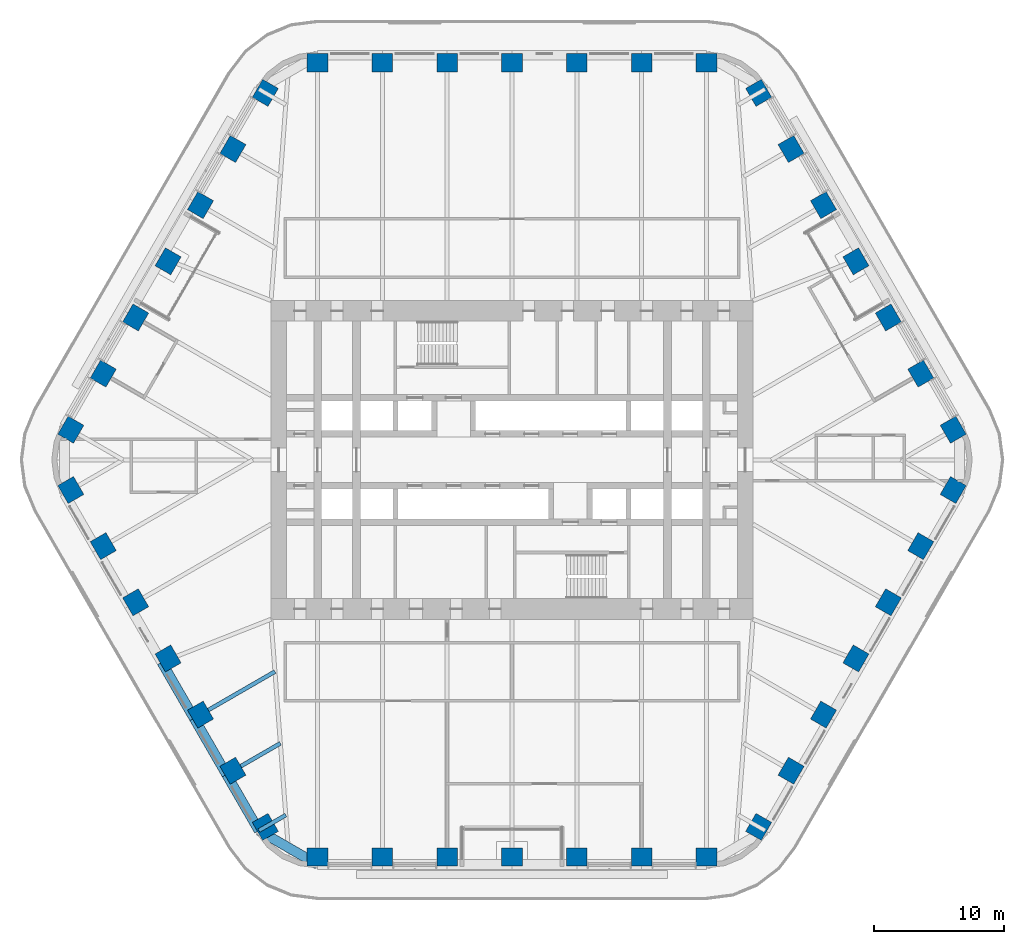
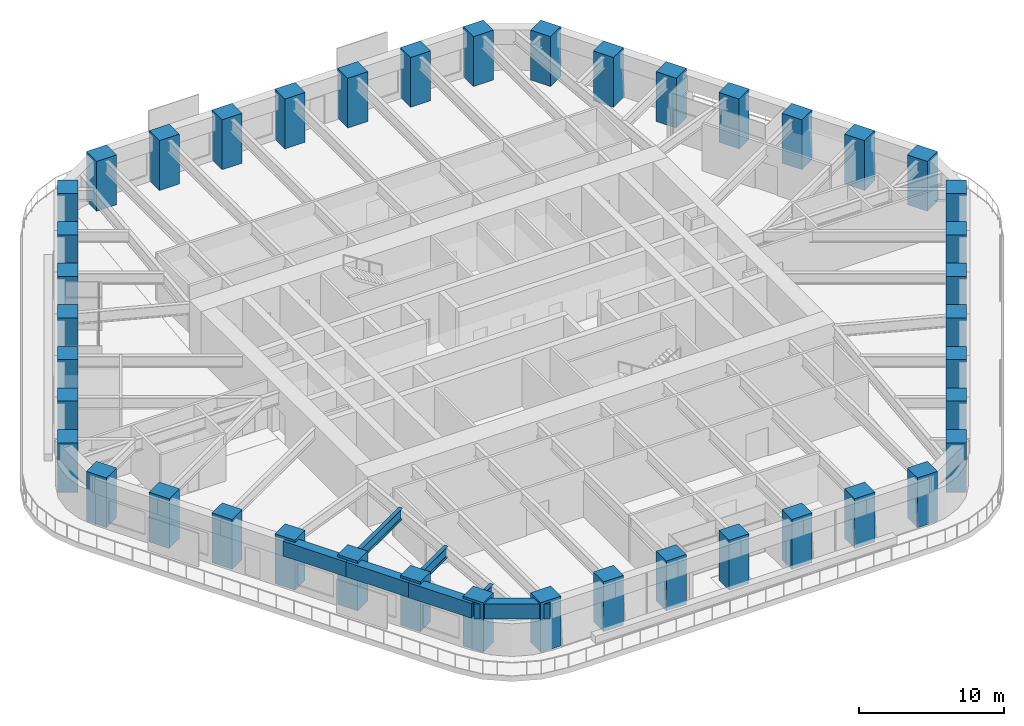
# One storey, part 1 of 24: 42 columns, 7 beams.
"""IFC4 building model written with IfcOpenShell, lengths in metres."""

from ifc_helpers import new_model, si_unit, direction, frame, origin, origin_2d, place, context, subcontext, project, spatial, rectangle, i_section, extrude, material, material_profile, profile_set, type_object, element, save


model = new_model("IFC4")

# Units and contexts
model_context = context("Model", 3, precision=1e-05, world=origin(), true_north=direction((0.0, 1.0)))
body_context = subcontext(model_context, "Body", "Model", "MODEL_VIEW")
ifc_project = project(units=[si_unit("LENGTHUNIT", "METRE"), si_unit("AREAUNIT", "SQUARE_METRE"), si_unit("VOLUMEUNIT", "CUBIC_METRE"), si_unit("PLANEANGLEUNIT", "RADIAN"), si_unit("MASSUNIT", "GRAM", prefix="KILO")], contexts=[model_context])

# Site, building, storey
site_placement = place(None, origin())
site = spatial("IfcSite", under=ifc_project, at=site_placement, CompositionType="ELEMENT")
building_placement = place(site_placement, origin())
building = spatial("IfcBuilding", under=site, at=building_placement, Name="Tarfa Lantern Tower", CompositionType="ELEMENT")
storey_placement = place(building_placement, frame((0.0, 0.0, 178.300048828125)))
storey = spatial("IfcBuildingStorey", under=building, at=storey_placement, Name="L40", CompositionType="ELEMENT", Elevation=178.300048828125)

# Columns
ifc_material_1 = material(Name="Concrete C80/95", Category="concrete")
ifc_material_profile_1 = material_profile(ifc_material_1, rectangle(XDim=1.60009765625, YDim=1.39990234375, at=origin_2d()), Name="RC 1600x1400")
ifc_profile_set_1 = profile_set([ifc_material_profile_1], Name="Concrete C80/95")
column_type = type_object("IfcColumnType", Name="TC7 RC 1600x1400", PredefinedType="COLUMN", material=ifc_profile_set_1)
for number, where, z_axis, x_axis, name in (
    (1, (34.04931640625, 2.324951171875, 0.0), (0.0, 0.0, 1.0), (-0.5, 0.866025403784, 0.0), "Tube column NE0"),
    (2, (31.54736328125, 6.658447265625, 0.0), (0.0, 0.0, 1.0), (-0.5, 0.866025403784, 0.0), "Tube column NE1"),
    (3, (29.04541015625, 10.99169921875, 0.0), (0.0, 0.0, 1.0), (-0.5, 0.866025403784, 0.0), "Tube column NE2"),
    (4, (26.543701171875, 15.324951171875, 0.0), (0.0, 0.0, 1.0), (-0.5, 0.866025403784, 0.0), "Tube column NE3"),
    (5, (24.041748046875, 19.658447265625, 0.0), (0.0, 0.0, 1.0), (-0.5, 0.866025403784, 0.0), "Tube column NE4"),
    (6, (21.5400390625, 23.99169921875, 0.0), (0.0, 0.0, 1.0), (-0.5, 0.866025403784, 0.0), "Tube column NE5"),
    (7, (19.0380859375, 28.324951171875, 0.0), (0.0, 0.0, 1.0), (-0.5, 0.866025403784, 0.0), "Tube column NE6"),
    (8, (15.010986328125, 30.64990234375, 0.0), (0.0, 0.0, 1.0), (-1.0, 0.0, 0.0), "Tube column N0"),
    (9, (10.00732421875, 30.64990234375, 0.0), (0.0, 0.0, 1.0), (-1.0, 0.0, 0.0), "Tube column N1"),
    (10, (5.003662109375, 30.64990234375, 0.0), (0.0, 0.0, 1.0), (-1.0, 0.0, 0.0), "Tube column N2"),
    (11, (0.0, 30.64990234375, 0.0), (0.0, 0.0, 1.0), (-1.0, 0.0, 0.0), "Tube column N3"),
    (12, (-5.003662109375, 30.64990234375, 0.0), (0.0, 0.0, 1.0), (-1.0, 0.0, 0.0), "Tube column N4"),
    (13, (-10.00732421875, 30.64990234375, 0.0), (0.0, 0.0, 1.0), (-1.0, 0.0, 0.0), "Tube column N5"),
    (14, (-15.010986328125, 30.64990234375, 0.0), (0.0, 0.0, 1.0), (-1.0, 0.0, 0.0), "Tube column N6"),
    (15, (-19.0380859375, 28.324951171875, 0.0), (0.0, 0.0, 1.0), (-0.5, -0.866025403784, 0.0), "Tube column NW0"),
    (16, (-21.5400390625, 23.99169921875, 0.0), (0.0, 0.0, 1.0), (-0.5, -0.866025403784, 0.0), "Tube column NW1"),
    (17, (-24.041748046875, 19.658447265625, 0.0), (0.0, 0.0, 1.0), (-0.5, -0.866025403784, 0.0), "Tube column NW2"),
    (18, (-26.543701171875, 15.324951171875, 0.0), (0.0, 0.0, 1.0), (-0.5, -0.866025403784, 0.0), "Tube column NW3"),
    (19, (-29.04541015625, 10.99169921875, 0.0), (0.0, 0.0, 1.0), (-0.5, -0.866025403784, 0.0), "Tube column NW4"),
    (20, (-31.54736328125, 6.658447265625, 0.0), (0.0, 0.0, 1.0), (-0.5, -0.866025403784, 0.0), "Tube column NW5"),
    (21, (-34.04931640625, 2.324951171875, 0.0), (0.0, 0.0, 1.0), (-0.5, -0.866025403784, 0.0), "Tube column NW6"),
    (22, (-34.04931640625, -2.324951171875, 0.0), (0.0, 0.0, 1.0), (0.5, -0.866025403784, 0.0), "Tube column SW0"),
    (23, (-31.54736328125, -6.658447265625, 0.0), (0.0, 0.0, 1.0), (0.5, -0.866025403784, 0.0), "Tube column SW1"),
    (24, (-29.04541015625, -10.99169921875, 0.0), (0.0, 0.0, 1.0), (0.5, -0.866025403784, 0.0), "Tube column SW2"),
    (25, (-26.543701171875, -15.324951171875, 0.0), (0.0, 0.0, 1.0), (0.5, -0.866025403784, 0.0), "Tube column SW3"),
    (26, (-24.041748046875, -19.658447265625, 0.0), (0.0, 0.0, 1.0), (0.5, -0.866025403784, 0.0), "Tube column SW4"),
    (27, (-21.5400390625, -23.99169921875, 0.0), (0.0, 0.0, 1.0), (0.5, -0.866025403784, 0.0), "Tube column SW5"),
    (28, (-19.0380859375, -28.324951171875, 0.0), (0.0, 0.0, 1.0), (0.5, -0.866025403784, 0.0), "Tube column SW6"),
    (29, (-15.010986328125, -30.64990234375, 0.0), (0.0, 0.0, 1.0), (1.0, 0.0, 0.0), "Tube column S0"),
    (30, (-10.00732421875, -30.64990234375, 0.0), (0.0, 0.0, 1.0), (1.0, 0.0, 0.0), "Tube column S1"),
    (31, (-5.003662109375, -30.64990234375, 0.0), (0.0, 0.0, 1.0), (1.0, 0.0, 0.0), "Tube column S2"),
    (32, (0.0, -30.64990234375, 0.0), (0.0, 0.0, 1.0), (1.0, 0.0, 0.0), "Tube column S3"),
    (33, (5.003662109375, -30.64990234375, 0.0), (0.0, 0.0, 1.0), (1.0, 0.0, 0.0), "Tube column S4"),
    (34, (10.00732421875, -30.64990234375, 0.0), (0.0, 0.0, 1.0), (1.0, 0.0, 0.0), "Tube column S5"),
    (35, (15.010986328125, -30.64990234375, 0.0), (0.0, 0.0, 1.0), (1.0, 0.0, 0.0), "Tube column S6"),
    (36, (19.0380859375, -28.324951171875, 0.0), (0.0, 0.0, 1.0), (0.5, 0.866025403784, 0.0), "Tube column SE0"),
    (37, (21.5400390625, -23.99169921875, 0.0), (0.0, 0.0, 1.0), (0.5, 0.866025403784, 0.0), "Tube column SE1"),
    (38, (24.041748046875, -19.658447265625, 0.0), (0.0, 0.0, 1.0), (0.5, 0.866025403784, 0.0), "Tube column SE2"),
    (39, (26.543701171875, -15.324951171875, 0.0), (0.0, 0.0, 1.0), (0.5, 0.866025403784, 0.0), "Tube column SE3"),
    (40, (29.04541015625, -10.99169921875, 0.0), (0.0, 0.0, 1.0), (0.5, 0.866025403784, 0.0), "Tube column SE4"),
    (41, (31.54736328125, -6.658447265625, 0.0), (0.0, 0.0, 1.0), (0.5, 0.866025403784, 0.0), "Tube column SE5"),
    (42, (34.04931640625, -2.324951171875, 0.0), (0.0, 0.0, 1.0), (0.5, 0.866025403784, 0.0), "Tube column SE6"),
):
    element("IfcColumn", number, at=place(storey_placement, frame(where, z_axis=z_axis, x_axis=x_axis)), inside=storey, type_object=column_type, Name=name, PredefinedType="COLUMN", context=body_context, shape_type="SweptSolid", body=[
        extrude(rectangle(XDim=1.60009765625, YDim=1.39990234375, at=origin_2d()), origin(), (0.0, 0.0, 1.0), 4.199951171875),
    ])

# Beams
ifc_material_profile_2 = material_profile(ifc_material_1, rectangle(XDim=0.75, YDim=1.25, at=origin_2d()), Name="RC 750x1250")
ifc_profile_set_2 = profile_set([ifc_material_profile_2], Name="Concrete C80/95")
beam_type_1 = type_object("IfcBeamType", Name="EB2 RC 750x1250", PredefinedType="SPANDREL", material=ifc_profile_set_2)
for number, where, z_axis, x_axis, name in (
    (43, (-27.037353515625, -15.610107421875, 3.375), (0.500022324899, -0.866012514114, 0.0), (0.866012514114, 0.500022324899, 0.0), "Edge beam SW3"),
    (44, (-24.535400390625, -19.943359375, 3.375), (0.49998573051, -0.866033642122, 0.0), (0.866033642122, 0.49998573051, 0.0), "Edge beam SW4"),
):
    element("IfcBeam", number, at=place(storey_placement, frame(where, z_axis=z_axis, x_axis=x_axis)), inside=storey, type_object=beam_type_1, Name=name, PredefinedType="SPANDREL", context=body_context, shape_type="SweptSolid", body=[
        extrude(rectangle(XDim=0.75, YDim=1.25, at=origin_2d()), origin(), (0.0, 0.0, 1.0), 5.003662109375),
    ])
beam_1_placement = place(storey_placement, frame((-22.03369140625, -24.276611328125, 3.375), z_axis=(0.500001197378, -0.866024712477, 0.0), x_axis=(0.866024712477, 0.500001197378, 0.0)))
element("IfcBeam", 45, at=beam_1_placement, inside=storey, type_object=beam_type_1, Name="Edge beam SW5", PredefinedType="SPANDREL", context=body_context, shape_type="SweptSolid", body=[
    extrude(rectangle(XDim=0.75, YDim=1.25, at=origin_2d()), origin(), (0.0, 0.0, 1.0), 5.00390625),
])
beam_2_placement = place(storey_placement, frame((-19.53173828125, -28.610107421875, 3.375), z_axis=(0.86604150238, -0.499972115377, 0.0), x_axis=(0.499972115377, 0.86604150238, 0.0)))
element("IfcBeam", 46, at=beam_2_placement, inside=storey, type_object=beam_type_1, Name="Edge beam SW6", PredefinedType="SPANDREL", context=body_context, shape_type="SweptSolid", body=[
    extrude(rectangle(XDim=0.75, YDim=1.25, at=origin_2d()), origin(), (0.0, 0.0, 1.0), 5.219970703125),
])
ifc_material_2 = material(Name="Steel S460M", Category="steel")
ifc_material_profile_3 = material_profile(ifc_material_2, i_section(OverallWidth=0.305419921875, OverallDepth=0.91845703125, WebThickness=0.017333984375, FlangeThickness=0.02783203125, FilletRadius=0.01904296875, at=origin_2d()), Name="UB914x305x253")
ifc_profile_set_3 = profile_set([ifc_material_profile_3], Name="Steel S460M")
beam_type_2 = type_object("IfcBeamType", Name="UB914x305x253", PredefinedType="BEAM", material=ifc_profile_set_3)
beam_3_placement = place(storey_placement, frame((-24.535400390625, -19.943359375, 3.540771484375), z_axis=(0.86602647304, 0.499998147991, 0.0), x_axis=(-0.499998147991, 0.86602647304, 0.0)))
element("IfcBeam", 47, at=beam_3_placement, inside=storey, type_object=beam_type_2, Name="Floor beam SW4", PredefinedType="BEAM", context=body_context, shape_type="SweptSolid", body=[
    extrude(i_section(OverallWidth=0.305419921875, OverallDepth=0.91845703125, WebThickness=0.017333984375, FlangeThickness=0.02783203125, FilletRadius=0.01904296875, at=origin_2d()), origin(), (0.0, 0.0, 1.0), 7.20556640625),
])
beam_4_placement = place(storey_placement, frame((-22.03369140625, -24.276611328125, 3.540771484375), z_axis=(0.866030550462, 0.499991085587, 0.0), x_axis=(-0.499991085587, 0.866030550462, 0.0)))
element("IfcBeam", 48, at=beam_4_placement, inside=storey, type_object=beam_type_2, Name="Floor beam SW5", PredefinedType="BEAM", context=body_context, shape_type="SweptSolid", body=[
    extrude(i_section(OverallWidth=0.305419921875, OverallDepth=0.91845703125, WebThickness=0.017333984375, FlangeThickness=0.02783203125, FilletRadius=0.01904296875, at=origin_2d()), origin(), (0.0, 0.0, 1.0), 4.798828125),
])
beam_5_placement = place(storey_placement, frame((-19.53173828125, -28.610107421875, 3.540771484375), z_axis=(0.865998640954, 0.500046351717, 0.0), x_axis=(-0.500046351717, 0.865998640954, 0.0)))
element("IfcBeam", 49, at=beam_5_placement, inside=storey, type_object=beam_type_2, Name="Floor beam SW6", PredefinedType="BEAM", context=body_context, shape_type="SweptSolid", body=[
    extrude(i_section(OverallWidth=0.305419921875, OverallDepth=0.91845703125, WebThickness=0.017333984375, FlangeThickness=0.02783203125, FilletRadius=0.01904296875, at=origin_2d()), origin(), (0.0, 0.0, 1.0), 2.392333984375),
])

save(model, "model.ifc")
